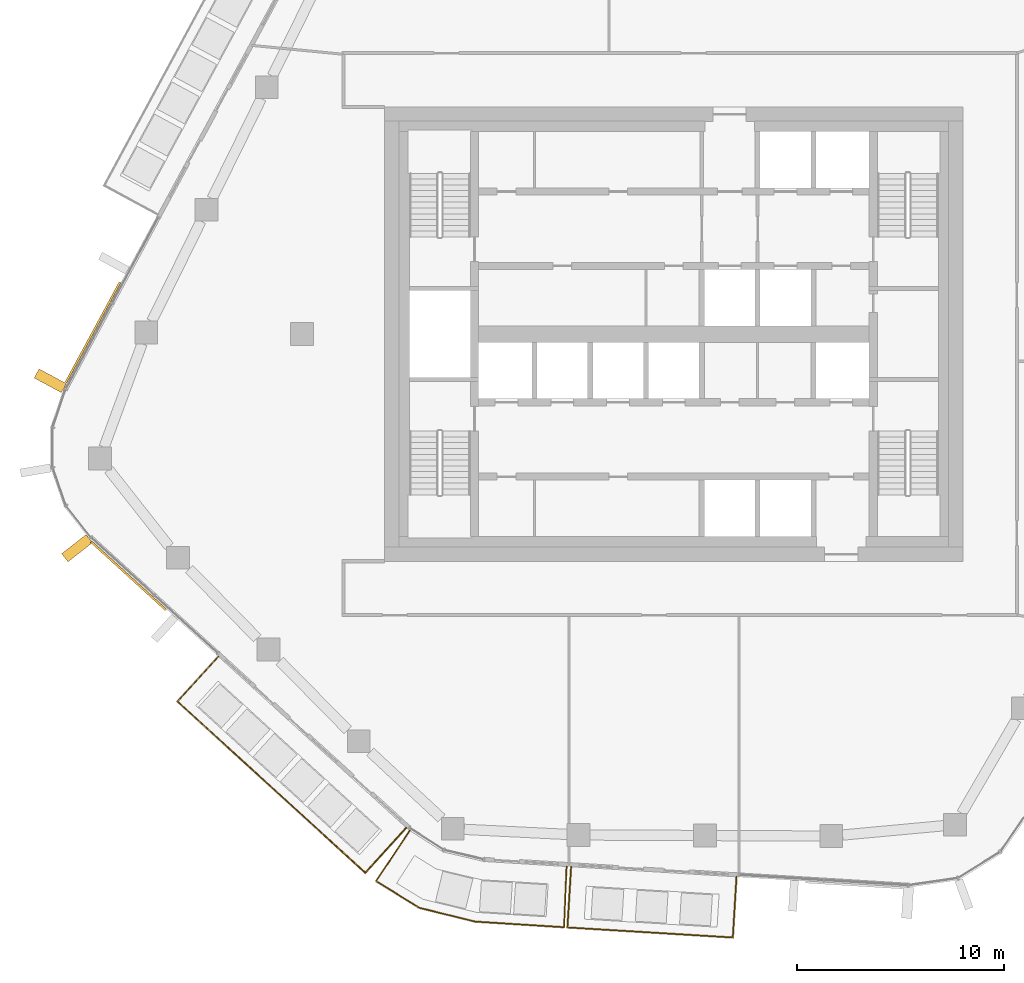
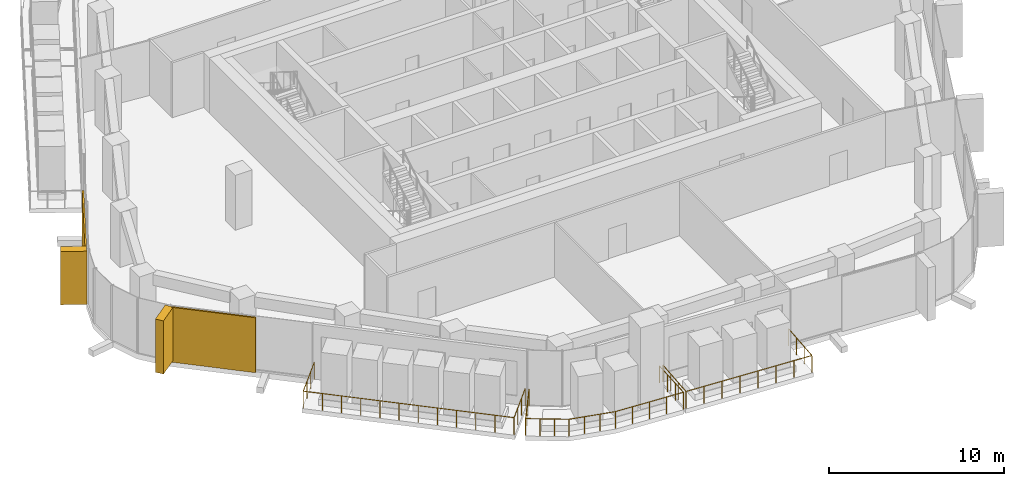
# One storey, part 15 of 20: 4 coverings, 3 railings, 3 elements without a shape of their own.
"""IFC4 building model written with IfcOpenShell, lengths in metres."""

from ifc_helpers import new_model, si_unit, direction, frame, origin, origin_2d, place, context, subcontext, project, spatial, rectangle, circle, extrude, material, layer, layer_set, material_profile, profile_set, type_object, element, aggregate, save


model = new_model("IFC4")

# Units and contexts
model_context = context("Model", 3, precision=1e-05, world=origin(), true_north=direction((0.0, 1.0)))
body_context = subcontext(model_context, "Body", "Model", "MODEL_VIEW")
ifc_project = project(units=[si_unit("LENGTHUNIT", "METRE"), si_unit("AREAUNIT", "SQUARE_METRE"), si_unit("VOLUMEUNIT", "CUBIC_METRE"), si_unit("PLANEANGLEUNIT", "RADIAN"), si_unit("MASSUNIT", "GRAM", prefix="KILO")], contexts=[model_context])

# Site, building, storey
site_placement = place(None, origin())
site = spatial("IfcSite", under=ifc_project, at=site_placement, CompositionType="ELEMENT")
building_placement = place(site_placement, origin())
building = spatial("IfcBuilding", under=site, at=building_placement, Name="Dongbaek Canopy Tower", CompositionType="ELEMENT")
storey_placement = place(building_placement, frame((0.0, 0.0, 262.199951171875)))
storey = spatial("IfcBuildingStorey", under=building, at=storey_placement, Name="L55", CompositionType="ELEMENT", Elevation=262.199951171875)

# Railings
ifc_material_1 = material(Name="Stainless steel", Category="steel")
railing_type = type_object("IfcRailingType", Name="Balcony balustrade 1200", PredefinedType="BALUSTRADE", material=ifc_material_1)
railing_1_placement = place(storey_placement, frame((-22.044921875, -15.609375, 0.0)))
element("IfcRailing", 1, at=railing_1_placement, inside=storey, type_object=railing_type, Name="Balcony guard L55 3", PredefinedType="BALUSTRADE", context=body_context, shape_type="SweptSolid", body=[
    extrude(circle(Radius=0.02392578125, at=origin_2d()), frame((0.0, 0.0, 1.17578125), z_axis=(-0.673849872767, -0.738868289326, 0.0), x_axis=(0.738868289326, -0.673849872767, 0.0)), (0.0, 0.0, 1.0), 2.940185546875),
    extrude(circle(Radius=0.02392578125, at=origin_2d()), frame((-1.981201171875, -2.17236328125, 1.17578125), z_axis=(0.738846279303, -0.673874005702, 0.0), x_axis=(0.673874005702, 0.738846279303, 0.0)), (0.0, 0.0, 1.0), 12.302490234375),
    extrude(circle(Radius=0.02392578125, at=origin_2d()), frame((7.1083984375, -10.462646484375, 1.17578125), z_axis=(0.673891217517, 0.738830580684, 0.0), x_axis=(-0.738830580684, 0.673891217517, 0.0)), (0.0, 0.0, 1.0), 2.93994140625),
    extrude(circle(Radius=0.02099609375, at=origin_2d()), origin(), (0.0, 0.0, 1.0), 1.15185546875),
    extrude(circle(Radius=0.02099609375, at=origin_2d()), frame((-0.660400390625, -0.72412109375, 0.0)), (0.0, 0.0, 1.0), 1.15185546875),
    extrude(circle(Radius=0.02099609375, at=origin_2d()), frame((-1.32080078125, -1.4482421875, 0.0)), (0.0, 0.0, 1.0), 1.15185546875),
    extrude(circle(Radius=0.02099609375, at=origin_2d()), frame((-1.981201171875, -2.17236328125, 0.0)), (0.0, 0.0, 1.0), 1.15185546875),
    extrude(circle(Radius=0.02099609375, at=origin_2d()), frame((-1.15478515625, -2.926025390625, 0.0)), (0.0, 0.0, 1.0), 1.15185546875),
    extrude(circle(Radius=0.02099609375, at=origin_2d()), frame((-0.32861328125, -3.6796875, 0.0)), (0.0, 0.0, 1.0), 1.15185546875),
    extrude(circle(Radius=0.02099609375, at=origin_2d()), frame((0.497802734375, -4.433349609375, 0.0)), (0.0, 0.0, 1.0), 1.15185546875),
    extrude(circle(Radius=0.02099609375, at=origin_2d()), frame((1.32421875, -5.18701171875, 0.0)), (0.0, 0.0, 1.0), 1.15185546875),
    extrude(circle(Radius=0.02099609375, at=origin_2d()), frame((2.150390625, -5.940673828125, 0.0)), (0.0, 0.0, 1.0), 1.15185546875),
    extrude(circle(Radius=0.02099609375, at=origin_2d()), frame((2.976806640625, -6.6943359375, 0.0)), (0.0, 0.0, 1.0), 1.15185546875),
    extrude(circle(Radius=0.02099609375, at=origin_2d()), frame((3.802978515625, -7.447998046875, 0.0)), (0.0, 0.0, 1.0), 1.15185546875),
    extrude(circle(Radius=0.02099609375, at=origin_2d()), frame((4.62939453125, -8.20166015625, 0.0)), (0.0, 0.0, 1.0), 1.15185546875),
    extrude(circle(Radius=0.02099609375, at=origin_2d()), frame((5.455810546875, -8.955322265625, 0.0)), (0.0, 0.0, 1.0), 1.15185546875),
    extrude(circle(Radius=0.02099609375, at=origin_2d()), frame((6.281982421875, -9.708984375, 0.0)), (0.0, 0.0, 1.0), 1.15185546875),
    extrude(circle(Radius=0.02099609375, at=origin_2d()), frame((7.1083984375, -10.462646484375, 0.0)), (0.0, 0.0, 1.0), 1.15185546875),
    extrude(circle(Radius=0.02099609375, at=origin_2d()), frame((7.768798828125, -9.738525390625, 0.0)), (0.0, 0.0, 1.0), 1.15185546875),
    extrude(circle(Radius=0.02099609375, at=origin_2d()), frame((8.42919921875, -9.0146484375, 0.0)), (0.0, 0.0, 1.0), 1.15185546875),
    extrude(circle(Radius=0.02099609375, at=origin_2d()), frame((9.089599609375, -8.29052734375, 0.0)), (0.0, 0.0, 1.0), 1.15185546875),
])
railing_2_placement = place(storey_placement, frame((-4.973388671875, -25.78662109375, 0.0)))
element("IfcRailing", 2, at=railing_2_placement, inside=storey, type_object=railing_type, Name="Balcony guard L55 4", PredefinedType="BALUSTRADE", context=body_context, shape_type="SweptSolid", body=[
    extrude(circle(Radius=0.02392578125, at=origin_2d()), frame((0.0, 0.0, 1.17578125), z_axis=(-0.060785890692, -0.998150828028, 0.0), x_axis=(0.998150828028, -0.060785890692, 0.0)), (0.0, 0.0, 1.0), 2.93994140625),
    extrude(circle(Radius=0.02392578125, at=origin_2d()), frame((-0.1787109375, -2.9345703125, 1.17578125), z_axis=(0.998152082378, -0.060765289793, 0.0), x_axis=(0.060765289793, 0.998152082378, 0.0)), (0.0, 0.0, 1.0), 8.01953125),
    extrude(circle(Radius=0.02392578125, at=origin_2d()), frame((7.825927734375, -3.421875, 1.17578125), z_axis=(0.060785890692, 0.998150828028, 0.0), x_axis=(-0.998150828028, 0.060785890692, 0.0)), (0.0, 0.0, 1.0), 2.93994140625),
    extrude(circle(Radius=0.02099609375, at=origin_2d()), origin(), (0.0, 0.0, 1.0), 1.15185546875),
    extrude(circle(Radius=0.02099609375, at=origin_2d()), frame((-0.0595703125, -0.978271484375, 0.0)), (0.0, 0.0, 1.0), 1.15185546875),
    extrude(circle(Radius=0.02099609375, at=origin_2d()), frame((-0.119140625, -1.956298828125, 0.0)), (0.0, 0.0, 1.0), 1.15185546875),
    extrude(circle(Radius=0.02099609375, at=origin_2d()), frame((-0.1787109375, -2.9345703125, 0.0)), (0.0, 0.0, 1.0), 1.15185546875),
    extrude(circle(Radius=0.02099609375, at=origin_2d()), frame((0.96484375, -3.004150390625, 0.0)), (0.0, 0.0, 1.0), 1.15185546875),
    extrude(circle(Radius=0.02099609375, at=origin_2d()), frame((2.1083984375, -3.07373046875, 0.0)), (0.0, 0.0, 1.0), 1.15185546875),
    extrude(circle(Radius=0.02099609375, at=origin_2d()), frame((3.251953125, -3.143310546875, 0.0)), (0.0, 0.0, 1.0), 1.15185546875),
    extrude(circle(Radius=0.02099609375, at=origin_2d()), frame((4.395263671875, -3.213134765625, 0.0)), (0.0, 0.0, 1.0), 1.15185546875),
    extrude(circle(Radius=0.02099609375, at=origin_2d()), frame((5.538818359375, -3.28271484375, 0.0)), (0.0, 0.0, 1.0), 1.15185546875),
    extrude(circle(Radius=0.02099609375, at=origin_2d()), frame((6.682373046875, -3.352294921875, 0.0)), (0.0, 0.0, 1.0), 1.15185546875),
    extrude(circle(Radius=0.02099609375, at=origin_2d()), frame((7.825927734375, -3.421875, 0.0)), (0.0, 0.0, 1.0), 1.15185546875),
    extrude(circle(Radius=0.02099609375, at=origin_2d()), frame((7.885498046875, -2.443603515625, 0.0)), (0.0, 0.0, 1.0), 1.15185546875),
    extrude(circle(Radius=0.02099609375, at=origin_2d()), frame((7.945068359375, -1.465576171875, 0.0)), (0.0, 0.0, 1.0), 1.15185546875),
    extrude(circle(Radius=0.02099609375, at=origin_2d()), frame((8.004638671875, -0.4873046875, 0.0)), (0.0, 0.0, 1.0), 1.15185546875),
])
railing_3_placement = place(storey_placement, frame((-12.781494140625, -24.033203125, 0.0)))
element("IfcRailing", 3, at=railing_3_placement, inside=storey, type_object=railing_type, Name="Balcony guard L55 7", PredefinedType="BALUSTRADE", context=body_context, shape_type="SweptSolid", body=[
    extrude(circle(Radius=0.02392578125, at=origin_2d()), frame((0.0, 0.0, 1.17578125), z_axis=(-0.556519040496, -0.830834855772, 0.0), x_axis=(0.830834855772, -0.556519040496, 0.0)), (0.0, 0.0, 1.0), 2.940673828125),
    extrude(circle(Radius=0.02392578125, at=origin_2d()), frame((-1.636474609375, -2.443115234375, 1.17578125), z_axis=(0.851095144387, -0.525011481018, 0.0), x_axis=(0.525011481018, 0.851095144387, 0.0)), (0.0, 0.0, 1.0), 2.472900390625),
    extrude(circle(Radius=0.02392578125, at=origin_2d()), frame((0.46826171875, -3.741455078125, 1.17578125), z_axis=(0.970883915813, -0.239550458183, 0.0), x_axis=(0.239550458183, 0.970883915813, 0.0)), (0.0, 0.0, 1.0), 2.772216796875),
    extrude(circle(Radius=0.02392578125, at=origin_2d()), frame((3.15966796875, -4.405517578125, 1.17578125), z_axis=(0.998000766769, -0.063201815863, 0.0), x_axis=(0.063201815863, 0.998000766769, 0.0)), (0.0, 0.0, 1.0), 4.318603515625),
    extrude(circle(Radius=0.02392578125, at=origin_2d()), frame((7.4697265625, -4.678466796875, 1.17578125), z_axis=(0.040349332627, 0.999185634082, 0.0), x_axis=(-0.999185634082, 0.040349332627, 0.0)), (0.0, 0.0, 1.0), 2.940673828125),
    extrude(circle(Radius=0.02099609375, at=origin_2d()), origin(), (0.0, 0.0, 1.0), 1.15185546875),
    extrude(circle(Radius=0.02099609375, at=origin_2d()), frame((-0.54541015625, -0.814453125, 0.0)), (0.0, 0.0, 1.0), 1.15185546875),
    extrude(circle(Radius=0.02099609375, at=origin_2d()), frame((-1.091064453125, -1.628662109375, 0.0)), (0.0, 0.0, 1.0), 1.15185546875),
    extrude(circle(Radius=0.02099609375, at=origin_2d()), frame((-1.636474609375, -2.443115234375, 0.0)), (0.0, 0.0, 1.0), 1.15185546875),
    extrude(circle(Radius=0.02099609375, at=origin_2d()), frame((-0.934814453125, -2.8759765625, 0.0)), (0.0, 0.0, 1.0), 1.15185546875),
    extrude(circle(Radius=0.02099609375, at=origin_2d()), frame((-0.2333984375, -3.30859375, 0.0)), (0.0, 0.0, 1.0), 1.15185546875),
    extrude(circle(Radius=0.02099609375, at=origin_2d()), frame((0.46826171875, -3.741455078125, 0.0)), (0.0, 0.0, 1.0), 1.15185546875),
    extrude(circle(Radius=0.02099609375, at=origin_2d()), frame((1.365478515625, -3.962890625, 0.0)), (0.0, 0.0, 1.0), 1.15185546875),
    extrude(circle(Radius=0.02099609375, at=origin_2d()), frame((2.262451171875, -4.18408203125, 0.0)), (0.0, 0.0, 1.0), 1.15185546875),
    extrude(circle(Radius=0.02099609375, at=origin_2d()), frame((3.15966796875, -4.405517578125, 0.0)), (0.0, 0.0, 1.0), 1.15185546875),
    extrude(circle(Radius=0.02099609375, at=origin_2d()), frame((4.2373046875, -4.4736328125, 0.0)), (0.0, 0.0, 1.0), 1.15185546875),
    extrude(circle(Radius=0.02099609375, at=origin_2d()), frame((5.314697265625, -4.5419921875, 0.0)), (0.0, 0.0, 1.0), 1.15185546875),
    extrude(circle(Radius=0.02099609375, at=origin_2d()), frame((6.39208984375, -4.6103515625, 0.0)), (0.0, 0.0, 1.0), 1.15185546875),
    extrude(circle(Radius=0.02099609375, at=origin_2d()), frame((7.4697265625, -4.678466796875, 0.0)), (0.0, 0.0, 1.0), 1.15185546875),
    extrude(circle(Radius=0.02099609375, at=origin_2d()), frame((7.50927734375, -3.698974609375, 0.0)), (0.0, 0.0, 1.0), 1.15185546875),
    extrude(circle(Radius=0.02099609375, at=origin_2d()), frame((7.548828125, -2.7197265625, 0.0)), (0.0, 0.0, 1.0), 1.15185546875),
    extrude(circle(Radius=0.02099609375, at=origin_2d()), frame((7.58837890625, -1.740234375, 0.0)), (0.0, 0.0, 1.0), 1.15185546875),
])

# Curtain wall, covering
ifc_material_2 = material(Name="Aluminium 6063-T6 pale anodised", Category="aluminium")
ifc_layer_1 = layer(ifc_material_2, 0.199951171875)
ifc_layer_set_1 = layer_set([ifc_layer_1], Name="CW-1 unitised tower curtain wall")
curtain_wall_type = type_object("IfcCurtainWallType", Name="CW-1 unitised tower curtain wall", PredefinedType="NOTDEFINED", material=ifc_layer_set_1)
curtain_wall_1_placement = place(storey_placement, origin())
curtain_wall_1 = element("IfcCurtainWall", 4, at=curtain_wall_1_placement, inside=storey, type_object=curtain_wall_type, Name="CW-1 curtain wall F2.1", PredefinedType="NOTDEFINED")
ifc_material_3 = material(Name="Perforated aluminium 6063-T6 pale metal screen", Category="aluminium")
ifc_layer_2 = layer(ifc_material_3, 0.10009765625)
ifc_layer_set_2 = layer_set([ifc_layer_2], Name="Facet screen FS1 100 pale metal")
covering_type_1 = type_object("IfcCoveringType", Name="Facet screen FS1 100 pale metal", PredefinedType="CLADDING", material=ifc_layer_set_2)
covering_1_placement = place(storey_placement, frame((-28.118896484375, 0.08447265625, 0.0), z_axis=(0.0, 0.0, 1.0), x_axis=(-0.475201953296, -0.879876754769, 0.0)))
covering_1 = element("IfcCovering", 5, at=covering_1_placement, type_object=covering_type_1, Name="Facet screen L55 F2", PredefinedType="CLADDING", context=body_context, shape_type="SweptSolid", body=[
    extrude(rectangle(XDim=5.513427734375, YDim=0.10009765625, at=origin_2d()), origin(), (0.0, 0.0, 1.0), 3.820068359375),
])

curtain_wall_2_placement = place(storey_placement, origin())
curtain_wall_2 = element("IfcCurtainWall", 6, at=curtain_wall_2_placement, inside=storey, type_object=curtain_wall_type, Name="CW-1 curtain wall F3.1", PredefinedType="NOTDEFINED")
covering_2_placement = place(storey_placement, frame((-26.39794921875, -11.701416015625, 0.0), z_axis=(0.0, 0.0, 1.0), x_axis=(0.738841236137, -0.673879535068, 0.0)))
covering_2 = element("IfcCovering", 7, at=covering_2_placement, type_object=covering_type_1, Name="Facet screen L55 F3", PredefinedType="CLADDING", context=body_context, shape_type="SweptSolid", body=[
    extrude(rectangle(XDim=4.90087890625, YDim=0.10009765625, at=origin_2d()), origin(), (0.0, 0.0, 1.0), 3.820068359375),
])
aggregate(curtain_wall_2, [covering_2])

# Covering
ifc_material_4 = material(Name="Aluminium 6063-T6 pale metal fin", Category="aluminium")
ifc_material_profile = material_profile(ifc_material_4, rectangle(XDim=1.5, YDim=0.5, at=origin_2d()), Name="Fin FN1 500 x 1500 pale metal")
ifc_profile_set = profile_set([ifc_material_profile], Name="Aluminium 6063-T6 pale metal fin")
covering_type_2 = type_object("IfcCoveringType", Name="Fin FN1 500 x 1500 pale metal", PredefinedType="CLADDING", material=ifc_profile_set)
covering_3_placement = place(storey_placement, frame((-30.18603515625, -2.26171875, 0.1201171875), z_axis=(0.0, 0.0, 1.0), x_axis=(-0.879876973154, 0.475201548938, 0.0)))
covering_3 = element("IfcCovering", 8, at=covering_3_placement, type_object=covering_type_2, Name="Fin F2.1.3", PredefinedType="CLADDING", context=body_context, shape_type="SweptSolid", body=[
    extrude(rectangle(XDim=1.5, YDim=0.5, at=origin_2d()), origin(), (0.0, 0.0, 1.0), 3.699951171875),
])

aggregate(curtain_wall_1, [covering_3, covering_1])

# Curtain wall, covering
curtain_wall_3_placement = place(storey_placement, origin())
curtain_wall_3 = element("IfcCurtainWall", 9, at=curtain_wall_3_placement, inside=storey, type_object=curtain_wall_type, Name="CW-1 curtain wall K3.1", PredefinedType="NOTDEFINED")
covering_4_placement = place(storey_placement, frame((-28.88916015625, -10.3662109375, 0.1201171875), z_axis=(0.0, 0.0, 1.0), x_axis=(-0.786588619061, -0.61747740393, 0.0)))
covering_4 = element("IfcCovering", 10, at=covering_4_placement, type_object=covering_type_2, Name="Fin K3.1.5", PredefinedType="CLADDING", context=body_context, shape_type="SweptSolid", body=[
    extrude(rectangle(XDim=1.5, YDim=0.5, at=origin_2d()), origin(), (0.0, 0.0, 1.0), 3.699951171875),
])
aggregate(curtain_wall_3, [covering_4])

save(model, "model.ifc")
